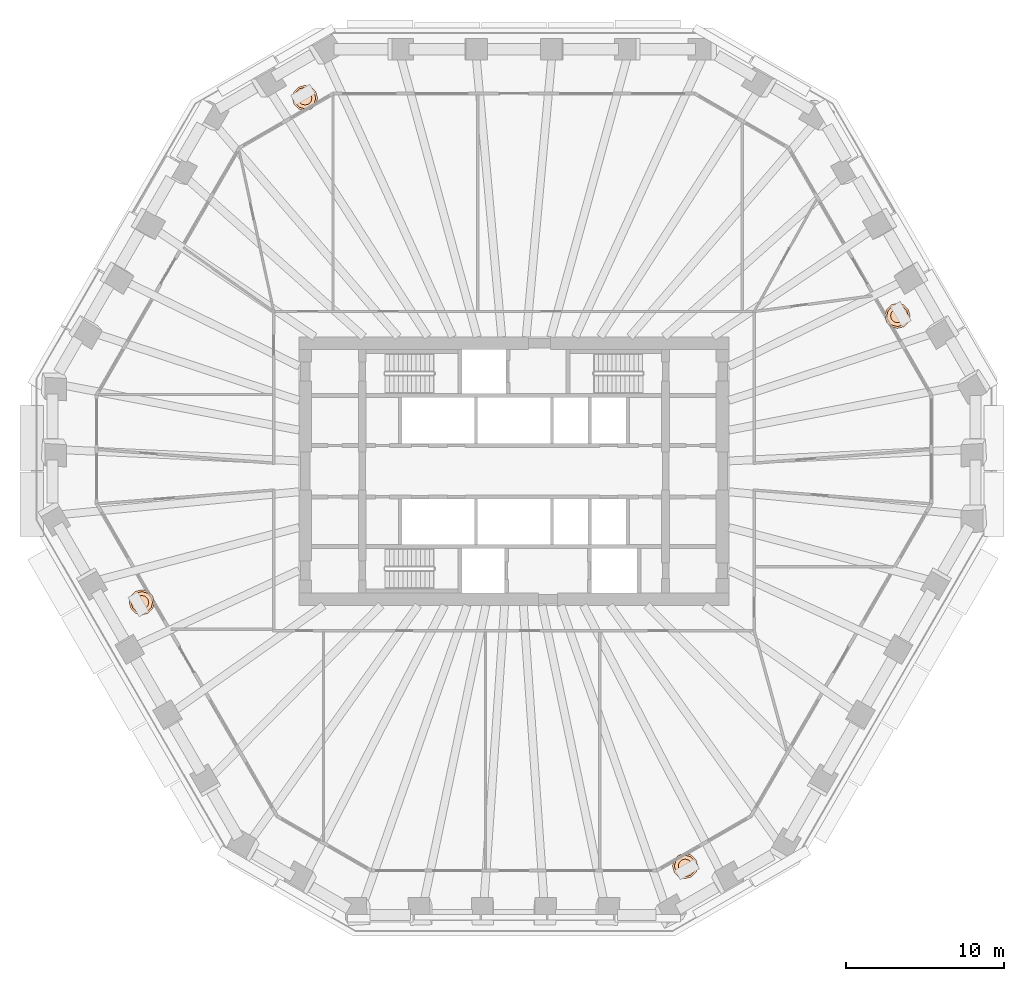
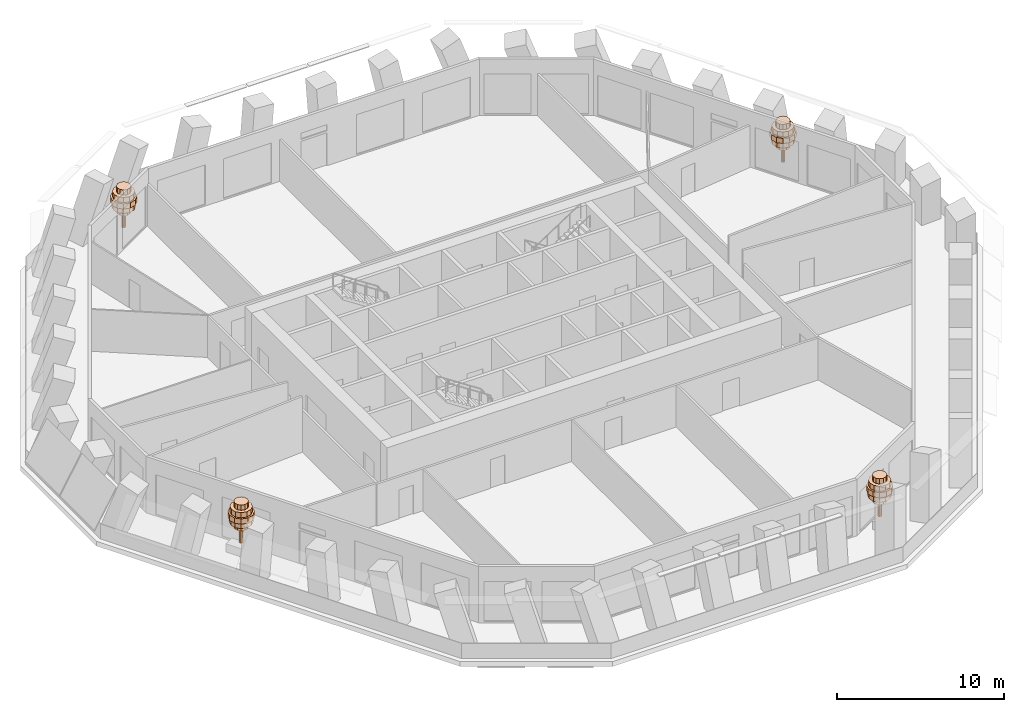
# One storey, part 12 of 12: 4 geographic elements.
"""IFC4 building model written with IfcOpenShell, lengths in metres."""

from ifc_helpers import new_model, si_unit, direction, frame, origin, place, context, subcontext, project, spatial, polyline, outline, extrude, material, type_object, element, save


model = new_model("IFC4")

# Units and contexts
model_context = context("Model", 3, precision=1e-05, world=origin(), true_north=direction((0.0, 1.0)))
body_context = subcontext(model_context, "Body", "Model", "MODEL_VIEW")
ifc_project = project(units=[si_unit("LENGTHUNIT", "METRE"), si_unit("AREAUNIT", "SQUARE_METRE"), si_unit("VOLUMEUNIT", "CUBIC_METRE"), si_unit("PLANEANGLEUNIT", "RADIAN"), si_unit("MASSUNIT", "GRAM", prefix="KILO")], contexts=[model_context])

# Site, building, storey
site_placement = place(None, origin())
site = spatial("IfcSite", under=ifc_project, at=site_placement, CompositionType="ELEMENT")
building_placement = place(site_placement, origin())
building = spatial("IfcBuilding", under=site, at=building_placement, Name="Frailejon Research Tower", CompositionType="ELEMENT")
storey_placement = place(building_placement, frame((0.0, 0.0, 135.199951171875)))
storey = spatial("IfcBuildingStorey", under=building, at=storey_placement, Name="L29", CompositionType="ELEMENT", Elevation=135.199951171875)

# Geographic elements
ifc_material = material(Name="Foliage, green")
geographic_element_type = type_object("IfcGeographicElementType", Name="Frailejon tree, loggia", PredefinedType="USERDEFINED", material=ifc_material)
geographic_element_1_placement = place(storey_placement, frame((24.27001953125, 9.82861328125, 0.60009765625)))
element("IfcGeographicElement", 1, at=geographic_element_1_placement, inside=storey, type_object=geographic_element_type, Name="Tree L29", ObjectType="TREE", PredefinedType="USERDEFINED", context=body_context, shape_type="SweptSolid", body=[
    extrude(outline(polyline([(0.1298828125, 0.0), (0.112548828125, 0.06494140625), (0.06494140625, 0.112548828125), (0.0, 0.1298828125), (-0.06494140625, 0.112548828125), (-0.112548828125, 0.06494140625), (-0.1298828125, 0.0), (-0.112548828125, -0.06494140625), (-0.06494140625, -0.112548828125), (0.0, -0.1298828125), (0.06494140625, -0.112548828125), (0.112548828125, -0.06494140625), (0.1298828125, 0.0)])), origin(), (0.0, 0.0, 1.0), 2.239990234375),
    extrude(outline(polyline([(0.43994140625, 0.0), (0.381103515625, 0.219970703125), (0.219970703125, 0.381103515625), (0.0, 0.43994140625), (-0.219970703125, 0.381103515625), (-0.381103515625, 0.219970703125), (-0.43994140625, 0.0), (-0.381103515625, -0.219970703125), (-0.219970703125, -0.381103515625), (0.0, -0.43994140625), (0.219970703125, -0.381103515625), (0.381103515625, -0.219970703125), (0.43994140625, 0.0)])), frame((0.0, 0.0, 1.10009765625)), (0.0, 0.0, 1.0), 0.3798828125),
    extrude(outline(polyline([(0.719970703125, 0.0), (0.62353515625, 0.360107421875), (0.360107421875, 0.62353515625), (0.0, 0.719970703125), (-0.360107421875, 0.62353515625), (-0.62353515625, 0.360107421875), (-0.719970703125, 0.0), (-0.62353515625, -0.360107421875), (-0.360107421875, -0.62353515625), (0.0, -0.719970703125), (0.360107421875, -0.62353515625), (0.62353515625, -0.360107421875), (0.719970703125, 0.0)])), frame((0.0, 0.0, 1.47998046875)), (0.0, 0.0, 1.0), 0.3798828125),
    extrude(outline(polyline([(0.800048828125, 0.0), (0.69287109375, 0.39990234375), (0.39990234375, 0.69287109375), (0.0, 0.800048828125), (-0.39990234375, 0.69287109375), (-0.69287109375, 0.39990234375), (-0.800048828125, 0.0), (-0.69287109375, -0.39990234375), (-0.39990234375, -0.69287109375), (0.0, -0.800048828125), (0.39990234375, -0.69287109375), (0.69287109375, -0.39990234375), (0.800048828125, 0.0)])), frame((0.0, 0.0, 1.860107421875)), (0.0, 0.0, 1.0), 0.3798828125),
    extrude(outline(polyline([(0.679931640625, 0.0), (0.5888671875, 0.340087890625), (0.340087890625, 0.5888671875), (0.0, 0.679931640625), (-0.340087890625, 0.5888671875), (-0.5888671875, 0.340087890625), (-0.679931640625, 0.0), (-0.5888671875, -0.340087890625), (-0.340087890625, -0.5888671875), (0.0, -0.679931640625), (0.340087890625, -0.5888671875), (0.5888671875, -0.340087890625), (0.679931640625, 0.0)])), frame((0.0, 0.0, 2.239990234375)), (0.0, 0.0, 1.0), 0.3798828125),
    extrude(outline(polyline([(0.43994140625, 0.0), (0.381103515625, 0.219970703125), (0.219970703125, 0.381103515625), (0.0, 0.43994140625), (-0.219970703125, 0.381103515625), (-0.381103515625, 0.219970703125), (-0.43994140625, 0.0), (-0.381103515625, -0.219970703125), (-0.219970703125, -0.381103515625), (0.0, -0.43994140625), (0.219970703125, -0.381103515625), (0.381103515625, -0.219970703125), (0.43994140625, 0.0)])), frame((0.0, 0.0, 2.6201171875)), (0.0, 0.0, 1.0), 0.3798828125),
])
geographic_element_2_placement = place(storey_placement, frame((-13.22802734375, 23.6103515625, 0.60009765625)))
element("IfcGeographicElement", 2, at=geographic_element_2_placement, inside=storey, type_object=geographic_element_type, Name="Tree L29", ObjectType="TREE", PredefinedType="USERDEFINED", context=body_context, shape_type="SweptSolid", body=[
    extrude(outline(polyline([(0.1298828125, 0.0), (0.112548828125, 0.06494140625), (0.06494140625, 0.112548828125), (0.0, 0.1298828125), (-0.06494140625, 0.112548828125), (-0.112548828125, 0.06494140625), (-0.1298828125, 0.0), (-0.112548828125, -0.06494140625), (-0.06494140625, -0.112548828125), (0.0, -0.1298828125), (0.06494140625, -0.112548828125), (0.112548828125, -0.06494140625), (0.1298828125, 0.0)])), origin(), (0.0, 0.0, 1.0), 2.239990234375),
    extrude(outline(polyline([(0.43994140625, 0.0), (0.381103515625, 0.219970703125), (0.219970703125, 0.381103515625), (0.0, 0.43994140625), (-0.219970703125, 0.381103515625), (-0.381103515625, 0.219970703125), (-0.43994140625, 0.0), (-0.381103515625, -0.219970703125), (-0.219970703125, -0.381103515625), (0.0, -0.43994140625), (0.219970703125, -0.381103515625), (0.381103515625, -0.219970703125), (0.43994140625, 0.0)])), frame((0.0, 0.0, 1.10009765625)), (0.0, 0.0, 1.0), 0.3798828125),
    extrude(outline(polyline([(0.719970703125, 0.0), (0.62353515625, 0.360107421875), (0.360107421875, 0.62353515625), (0.0, 0.719970703125), (-0.360107421875, 0.62353515625), (-0.62353515625, 0.360107421875), (-0.719970703125, 0.0), (-0.62353515625, -0.360107421875), (-0.360107421875, -0.62353515625), (0.0, -0.719970703125), (0.360107421875, -0.62353515625), (0.62353515625, -0.360107421875), (0.719970703125, 0.0)])), frame((0.0, 0.0, 1.47998046875)), (0.0, 0.0, 1.0), 0.3798828125),
    extrude(outline(polyline([(0.800048828125, 0.0), (0.69287109375, 0.39990234375), (0.39990234375, 0.69287109375), (0.0, 0.800048828125), (-0.39990234375, 0.69287109375), (-0.69287109375, 0.39990234375), (-0.800048828125, 0.0), (-0.69287109375, -0.39990234375), (-0.39990234375, -0.69287109375), (0.0, -0.800048828125), (0.39990234375, -0.69287109375), (0.69287109375, -0.39990234375), (0.800048828125, 0.0)])), frame((0.0, 0.0, 1.860107421875)), (0.0, 0.0, 1.0), 0.3798828125),
    extrude(outline(polyline([(0.679931640625, 0.0), (0.5888671875, 0.340087890625), (0.340087890625, 0.5888671875), (0.0, 0.679931640625), (-0.340087890625, 0.5888671875), (-0.5888671875, 0.340087890625), (-0.679931640625, 0.0), (-0.5888671875, -0.340087890625), (-0.340087890625, -0.5888671875), (0.0, -0.679931640625), (0.340087890625, -0.5888671875), (0.5888671875, -0.340087890625), (0.679931640625, 0.0)])), frame((0.0, 0.0, 2.239990234375)), (0.0, 0.0, 1.0), 0.3798828125),
    extrude(outline(polyline([(0.43994140625, 0.0), (0.381103515625, 0.219970703125), (0.219970703125, 0.381103515625), (0.0, 0.43994140625), (-0.219970703125, 0.381103515625), (-0.381103515625, 0.219970703125), (-0.43994140625, 0.0), (-0.381103515625, -0.219970703125), (-0.219970703125, -0.381103515625), (0.0, -0.43994140625), (0.219970703125, -0.381103515625), (0.381103515625, -0.219970703125), (0.43994140625, 0.0)])), frame((0.0, 0.0, 2.6201171875)), (0.0, 0.0, 1.0), 0.3798828125),
])
geographic_element_3_placement = place(storey_placement, frame((-23.551513671875, -8.3076171875, 0.60009765625)))
element("IfcGeographicElement", 3, at=geographic_element_3_placement, inside=storey, type_object=geographic_element_type, Name="Tree L29", ObjectType="TREE", PredefinedType="USERDEFINED", context=body_context, shape_type="SweptSolid", body=[
    extrude(outline(polyline([(0.1298828125, 0.0), (0.112548828125, 0.06494140625), (0.06494140625, 0.112548828125), (0.0, 0.1298828125), (-0.06494140625, 0.112548828125), (-0.112548828125, 0.06494140625), (-0.1298828125, 0.0), (-0.112548828125, -0.06494140625), (-0.06494140625, -0.112548828125), (0.0, -0.1298828125), (0.06494140625, -0.112548828125), (0.112548828125, -0.06494140625), (0.1298828125, 0.0)])), origin(), (0.0, 0.0, 1.0), 2.239990234375),
    extrude(outline(polyline([(0.43994140625, 0.0), (0.381103515625, 0.219970703125), (0.219970703125, 0.381103515625), (0.0, 0.43994140625), (-0.219970703125, 0.381103515625), (-0.381103515625, 0.219970703125), (-0.43994140625, 0.0), (-0.381103515625, -0.219970703125), (-0.219970703125, -0.381103515625), (0.0, -0.43994140625), (0.219970703125, -0.381103515625), (0.381103515625, -0.219970703125), (0.43994140625, 0.0)])), frame((0.0, 0.0, 1.10009765625)), (0.0, 0.0, 1.0), 0.3798828125),
    extrude(outline(polyline([(0.719970703125, 0.0), (0.62353515625, 0.360107421875), (0.360107421875, 0.62353515625), (0.0, 0.719970703125), (-0.360107421875, 0.62353515625), (-0.62353515625, 0.360107421875), (-0.719970703125, 0.0), (-0.62353515625, -0.360107421875), (-0.360107421875, -0.62353515625), (0.0, -0.719970703125), (0.360107421875, -0.62353515625), (0.62353515625, -0.360107421875), (0.719970703125, 0.0)])), frame((0.0, 0.0, 1.47998046875)), (0.0, 0.0, 1.0), 0.3798828125),
    extrude(outline(polyline([(0.800048828125, 0.0), (0.69287109375, 0.39990234375), (0.39990234375, 0.69287109375), (0.0, 0.800048828125), (-0.39990234375, 0.69287109375), (-0.69287109375, 0.39990234375), (-0.800048828125, 0.0), (-0.69287109375, -0.39990234375), (-0.39990234375, -0.69287109375), (0.0, -0.800048828125), (0.39990234375, -0.69287109375), (0.69287109375, -0.39990234375), (0.800048828125, 0.0)])), frame((0.0, 0.0, 1.860107421875)), (0.0, 0.0, 1.0), 0.3798828125),
    extrude(outline(polyline([(0.679931640625, 0.0), (0.5888671875, 0.340087890625), (0.340087890625, 0.5888671875), (0.0, 0.679931640625), (-0.340087890625, 0.5888671875), (-0.5888671875, 0.340087890625), (-0.679931640625, 0.0), (-0.5888671875, -0.340087890625), (-0.340087890625, -0.5888671875), (0.0, -0.679931640625), (0.340087890625, -0.5888671875), (0.5888671875, -0.340087890625), (0.679931640625, 0.0)])), frame((0.0, 0.0, 2.239990234375)), (0.0, 0.0, 1.0), 0.3798828125),
    extrude(outline(polyline([(0.43994140625, 0.0), (0.381103515625, 0.219970703125), (0.219970703125, 0.381103515625), (0.0, 0.43994140625), (-0.219970703125, 0.381103515625), (-0.381103515625, 0.219970703125), (-0.43994140625, 0.0), (-0.381103515625, -0.219970703125), (-0.219970703125, -0.381103515625), (0.0, -0.43994140625), (0.219970703125, -0.381103515625), (0.381103515625, -0.219970703125), (0.43994140625, 0.0)])), frame((0.0, 0.0, 2.6201171875)), (0.0, 0.0, 1.0), 0.3798828125),
])
geographic_element_4_placement = place(storey_placement, frame((10.8330078125, -24.992919921875, 0.60009765625)))
element("IfcGeographicElement", 4, at=geographic_element_4_placement, inside=storey, type_object=geographic_element_type, Name="Tree L29", ObjectType="TREE", PredefinedType="USERDEFINED", context=body_context, shape_type="SweptSolid", body=[
    extrude(outline(polyline([(0.1298828125, 0.0), (0.112548828125, 0.06494140625), (0.06494140625, 0.112548828125), (0.0, 0.1298828125), (-0.06494140625, 0.112548828125), (-0.112548828125, 0.06494140625), (-0.1298828125, 0.0), (-0.112548828125, -0.06494140625), (-0.06494140625, -0.112548828125), (0.0, -0.1298828125), (0.06494140625, -0.112548828125), (0.112548828125, -0.06494140625), (0.1298828125, 0.0)])), origin(), (0.0, 0.0, 1.0), 2.239990234375),
    extrude(outline(polyline([(0.43994140625, 0.0), (0.381103515625, 0.219970703125), (0.219970703125, 0.381103515625), (0.0, 0.43994140625), (-0.219970703125, 0.381103515625), (-0.381103515625, 0.219970703125), (-0.43994140625, 0.0), (-0.381103515625, -0.219970703125), (-0.219970703125, -0.381103515625), (0.0, -0.43994140625), (0.219970703125, -0.381103515625), (0.381103515625, -0.219970703125), (0.43994140625, 0.0)])), frame((0.0, 0.0, 1.10009765625)), (0.0, 0.0, 1.0), 0.3798828125),
    extrude(outline(polyline([(0.719970703125, 0.0), (0.62353515625, 0.360107421875), (0.360107421875, 0.62353515625), (0.0, 0.719970703125), (-0.360107421875, 0.62353515625), (-0.62353515625, 0.360107421875), (-0.719970703125, 0.0), (-0.62353515625, -0.360107421875), (-0.360107421875, -0.62353515625), (0.0, -0.719970703125), (0.360107421875, -0.62353515625), (0.62353515625, -0.360107421875), (0.719970703125, 0.0)])), frame((0.0, 0.0, 1.47998046875)), (0.0, 0.0, 1.0), 0.3798828125),
    extrude(outline(polyline([(0.800048828125, 0.0), (0.69287109375, 0.39990234375), (0.39990234375, 0.69287109375), (0.0, 0.800048828125), (-0.39990234375, 0.69287109375), (-0.69287109375, 0.39990234375), (-0.800048828125, 0.0), (-0.69287109375, -0.39990234375), (-0.39990234375, -0.69287109375), (0.0, -0.800048828125), (0.39990234375, -0.69287109375), (0.69287109375, -0.39990234375), (0.800048828125, 0.0)])), frame((0.0, 0.0, 1.860107421875)), (0.0, 0.0, 1.0), 0.3798828125),
    extrude(outline(polyline([(0.679931640625, 0.0), (0.5888671875, 0.340087890625), (0.340087890625, 0.5888671875), (0.0, 0.679931640625), (-0.340087890625, 0.5888671875), (-0.5888671875, 0.340087890625), (-0.679931640625, 0.0), (-0.5888671875, -0.340087890625), (-0.340087890625, -0.5888671875), (0.0, -0.679931640625), (0.340087890625, -0.5888671875), (0.5888671875, -0.340087890625), (0.679931640625, 0.0)])), frame((0.0, 0.0, 2.239990234375)), (0.0, 0.0, 1.0), 0.3798828125),
    extrude(outline(polyline([(0.43994140625, 0.0), (0.381103515625, 0.219970703125), (0.219970703125, 0.381103515625), (0.0, 0.43994140625), (-0.219970703125, 0.381103515625), (-0.381103515625, 0.219970703125), (-0.43994140625, 0.0), (-0.381103515625, -0.219970703125), (-0.219970703125, -0.381103515625), (0.0, -0.43994140625), (0.219970703125, -0.381103515625), (0.381103515625, -0.219970703125), (0.43994140625, 0.0)])), frame((0.0, 0.0, 2.6201171875)), (0.0, 0.0, 1.0), 0.3798828125),
])

save(model, "model.ifc")
